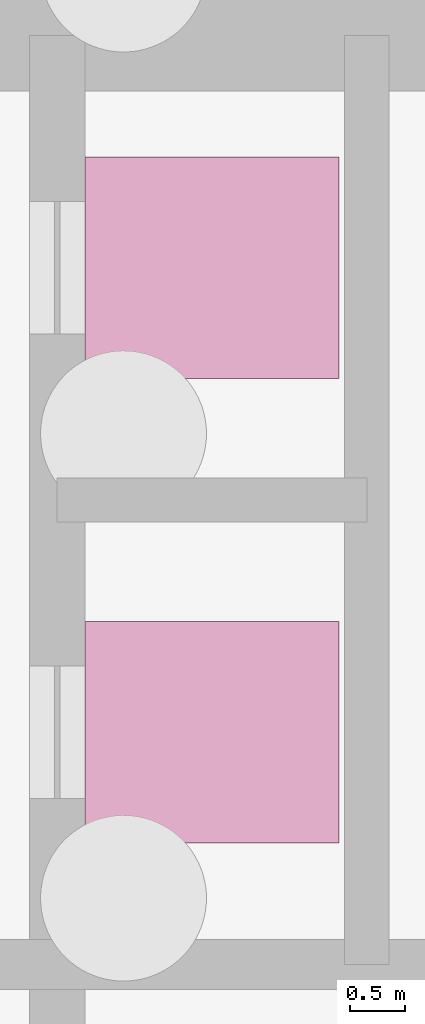
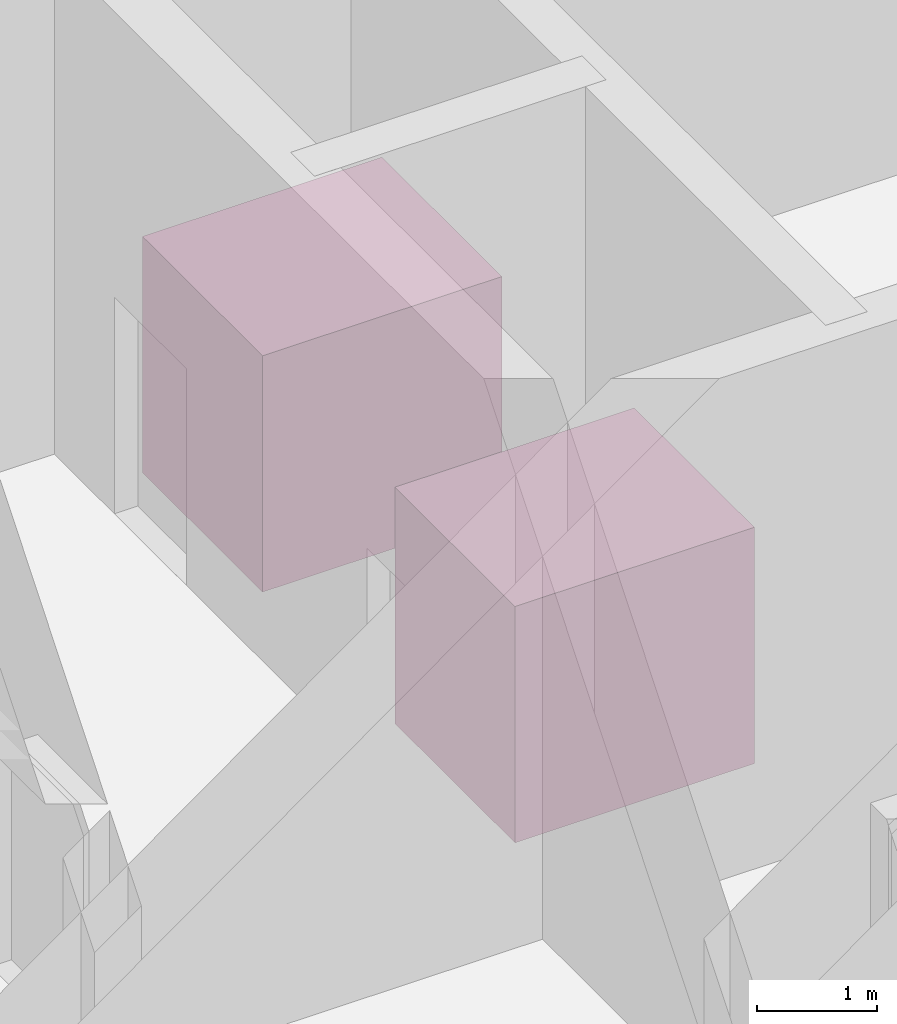
# One storey, part 18 of 18: 2 transport elements.
"""IFC4 building model written with IfcOpenShell, lengths in metres."""

from ifc_helpers import new_model, si_unit, direction, frame, origin, origin_2d, place, context, subcontext, project, spatial, rectangle, extrude, material, type_object, element, save


model = new_model("IFC4")

# Units and contexts
model_context = context("Model", 3, precision=1e-05, world=origin(), true_north=direction((0.0, 1.0)))
body_context = subcontext(model_context, "Body", "Model", "MODEL_VIEW")
ifc_project = project(units=[si_unit("LENGTHUNIT", "METRE"), si_unit("AREAUNIT", "SQUARE_METRE"), si_unit("VOLUMEUNIT", "CUBIC_METRE"), si_unit("PLANEANGLEUNIT", "RADIAN"), si_unit("MASSUNIT", "GRAM", prefix="KILO")], contexts=[model_context])

# Site, building, storey
site_placement = place(None, origin())
site = spatial("IfcSite", under=ifc_project, at=site_placement, CompositionType="ELEMENT")
building_placement = place(site_placement, origin())
building = spatial("IfcBuilding", under=site, at=building_placement, Name="Dunama Terrace Hotel", CompositionType="ELEMENT")
storey_placement = place(building_placement, frame((0.0, 0.0, -5.39990234375)))
storey = spatial("IfcBuildingStorey", under=building, at=storey_placement, Name="B1", CompositionType="ELEMENT", Elevation=-5.39990234375)

# Transport elements
ifc_material = material(Name="Firefighting lift car")
transport_element_type = type_object("IfcTransportElementType", Name="Firefighting lift 1800 kg", PredefinedType="ELEVATOR", material=ifc_material)
transport_element_1_placement = place(storey_placement, origin())
element("IfcTransportElement", 1, at=transport_element_1_placement, inside=storey, type_object=transport_element_type, Name="Lift FL1, type FL", PredefinedType="ELEVATOR", context=body_context, shape_type="SweptSolid", body=[
    extrude(rectangle(XDim=2.300048828125, YDim=2.0, at=origin_2d()), frame((35.0, 39.89990234375, 0.0), z_axis=(0.0, 0.0, 1.0), x_axis=(1.0, 0.0, 0.0)), (0.0, 0.0, 1.0), 2.39990234375),
])
transport_element_2_placement = place(storey_placement, origin())
element("IfcTransportElement", 2, at=transport_element_2_placement, inside=storey, type_object=transport_element_type, Name="Lift FL2, type FL", PredefinedType="ELEVATOR", context=body_context, shape_type="SweptSolid", body=[
    extrude(rectangle(XDim=2.300048828125, YDim=2.0, at=origin_2d()), frame((35.0, 35.699951171875, 0.0), z_axis=(0.0, 0.0, 1.0), x_axis=(1.0, 0.0, 0.0)), (0.0, 0.0, 1.0), 2.39990234375),
])

save(model, "model.ifc")
